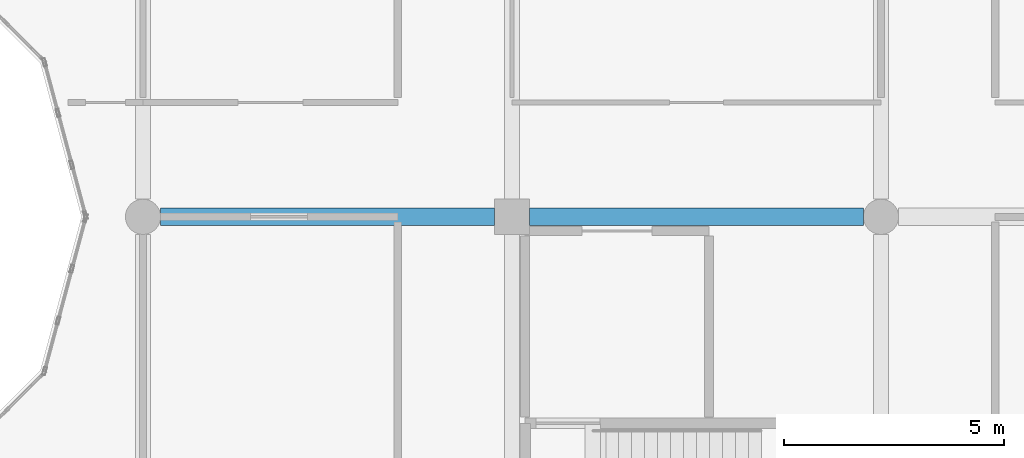
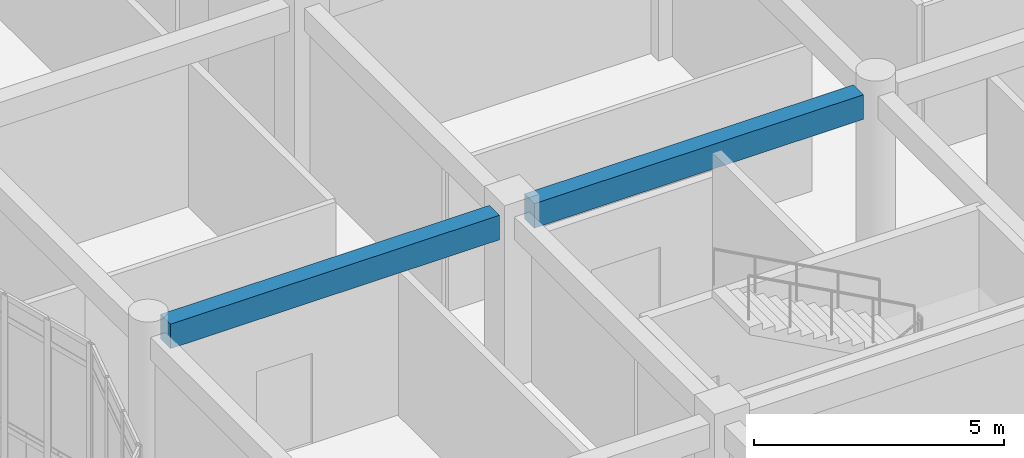
# One storey, part 52 of 144: 2 beams.
"""IFC4 building model written with IfcOpenShell, lengths in metres."""

from ifc_helpers import new_model, si_unit, direction, frame, origin, origin_2d, place, context, subcontext, project, spatial, rectangle, extrude, material, material_profile, profile_set, type_object, element, save


model = new_model("IFC4")

# Units and contexts
model_context = context("Model", 3, precision=1e-05, world=origin(), true_north=direction((0.0, 1.0)))
body_context = subcontext(model_context, "Body", "Model", "MODEL_VIEW")
ifc_project = project(units=[si_unit("LENGTHUNIT", "METRE"), si_unit("AREAUNIT", "SQUARE_METRE"), si_unit("VOLUMEUNIT", "CUBIC_METRE"), si_unit("PLANEANGLEUNIT", "RADIAN"), si_unit("MASSUNIT", "GRAM", prefix="KILO")], contexts=[model_context])

# Site, building, storey
site_placement = place(None, origin())
site = spatial("IfcSite", under=ifc_project, at=site_placement, CompositionType="ELEMENT")
building_placement = place(site_placement, origin())
building = spatial("IfcBuilding", under=site, at=building_placement, Name="Bramfleet General Hospital", CompositionType="ELEMENT")
storey_placement = place(building_placement, frame((0.0, 0.0, 4.800048828125)))
storey = spatial("IfcBuildingStorey", under=building, at=storey_placement, Name="L01", CompositionType="ELEMENT", Elevation=4.800048828125)

# Beams
ifc_material = material(Name="Concrete C35/45", Category="concrete")
ifc_material_profile = material_profile(ifc_material, rectangle(XDim=0.39990234375, YDim=0.60009765625, at=origin_2d()), Name="RC BM 600x400")
ifc_profile_set = profile_set([ifc_material_profile], Name="Concrete C35/45")
beam_type = type_object("IfcBeamType", Name="BM-RC600", PredefinedType="BEAM", material=ifc_profile_set)
beam_1_placement = place(storey_placement, frame((92.800048828125, 75.60009765625, 3.849853515625), z_axis=(1.0, 0.0, 0.0), x_axis=(0.0, 1.0, 0.0)))
element("IfcBeam", 1, at=beam_1_placement, inside=storey, type_object=beam_type, Name="L01 Grid Beam X 11-09", PredefinedType="BEAM", context=body_context, shape_type="SweptSolid", body=[
    extrude(rectangle(XDim=0.39990234375, YDim=0.60009765625, at=origin_2d()), origin(), (0.0, 0.0, 1.0), 7.599853515625),
])
beam_2_placement = place(storey_placement, frame((101.199951171875, 75.60009765625, 3.849853515625), z_axis=(1.0, 0.0, 0.0), x_axis=(0.0, 1.0, 0.0)))
element("IfcBeam", 2, at=beam_2_placement, inside=storey, type_object=beam_type, Name="L01 Grid Beam X 12-09", PredefinedType="BEAM", context=body_context, shape_type="SweptSolid", body=[
    extrude(rectangle(XDim=0.39990234375, YDim=0.60009765625, at=origin_2d()), origin(), (0.0, 0.0, 1.0), 7.60009765625),
])

save(model, "model.ifc")
